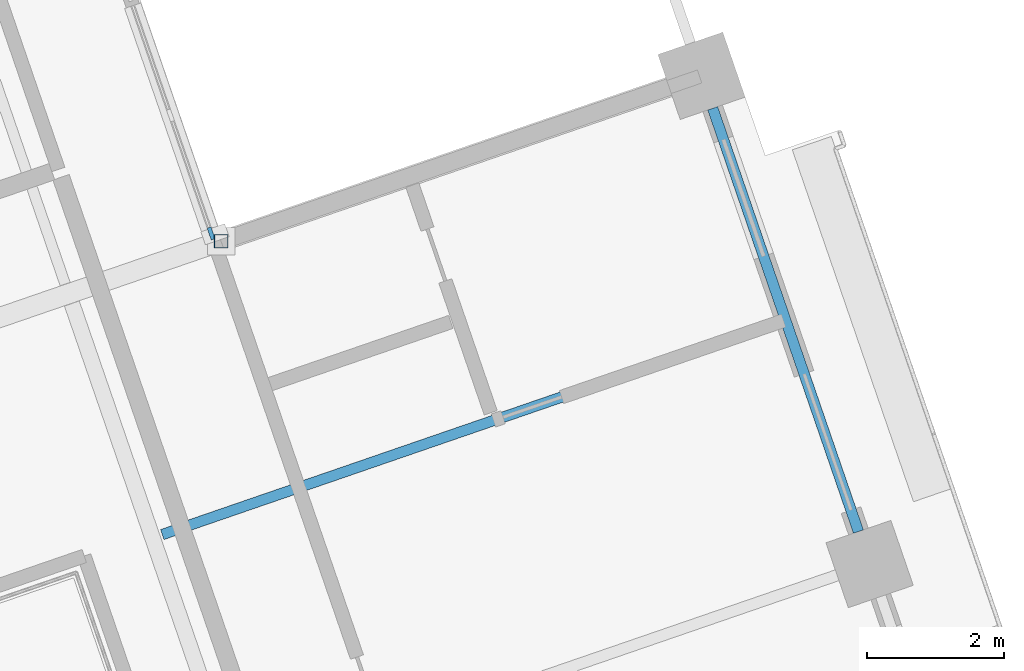
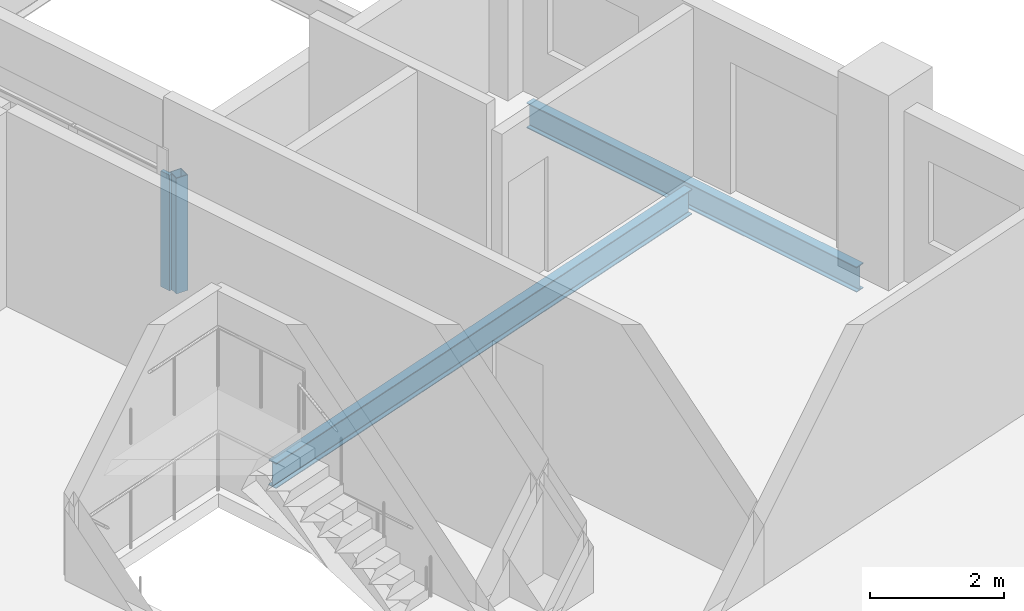
# One storey, part 2 of 19: 2 beams, 2 members, 1 element without a shape of its own.
"""IFC4 building model written with IfcOpenShell, lengths in metres."""

from ifc_helpers import new_model, si_unit, direction, frame, origin, origin_2d, place, context, subcontext, project, spatial, rectangle, hollow_rectangle, i_section, extrude, material, material_profile, profile_set, type_object, element, aggregate, save


model = new_model("IFC4")

# Units and contexts
model_context = context("Model", 3, precision=1e-05, world=origin(), true_north=direction((0.0, 1.0)))
body_context = subcontext(model_context, "Body", "Model", "MODEL_VIEW")
ifc_project = project(units=[si_unit("LENGTHUNIT", "METRE"), si_unit("AREAUNIT", "SQUARE_METRE"), si_unit("VOLUMEUNIT", "CUBIC_METRE"), si_unit("PLANEANGLEUNIT", "RADIAN"), si_unit("MASSUNIT", "GRAM", prefix="KILO")], contexts=[model_context])

# Site, building, storey
site_placement = place(None, origin())
site = spatial("IfcSite", under=ifc_project, at=site_placement, CompositionType="ELEMENT")
building_placement = place(site_placement, origin())
building = spatial("IfcBuilding", under=site, at=building_placement, Name="Cantera Rosa Tower", CompositionType="ELEMENT")
storey_placement = place(building_placement, frame((0.0, 0.0, 130.699951171875)))
storey = spatial("IfcBuildingStorey", under=building, at=storey_placement, Name="L27", CompositionType="ELEMENT", Elevation=130.699951171875)

# Curtain wall, member
ifc_material_1 = material(Name="Aluminium frame with clear glass", Category="aluminium")
curtain_wall_type = type_object("IfcCurtainWallType", Name="CW1 TERRACE POCKET GLAZING", PredefinedType="NOTDEFINED", material=ifc_material_1)
curtain_wall_placement = place(storey_placement, origin())
curtain_wall = element("IfcCurtainWall", 1, at=curtain_wall_placement, inside=storey, type_object=curtain_wall_type, Name="CW1 CW1", PredefinedType="NOTDEFINED")
ifc_material_2 = material(Name="Anodised bronze aluminium", Category="aluminium")
ifc_material_profile_1 = material_profile(ifc_material_2, rectangle(XDim=0.06005859375, YDim=0.179931640625, at=origin_2d()), Name="CW-MULLION 60x180 POCKET")
ifc_profile_set_1 = profile_set([ifc_material_profile_1], Name="Anodised bronze aluminium")
member_type_1 = type_object("IfcMemberType", Name="CW-MULLION 60x180 POCKET", PredefinedType="MULLION", material=ifc_profile_set_1)
member_1_placement = place(storey_placement, frame((18.85498046875, 2.679443359375, 0.0), z_axis=(0.0, 0.0, 1.0), x_axis=(-0.945518575605, -0.325568154441, 0.0)))
member_1 = element("IfcMember", 2, at=member_1_placement, type_object=member_type_1, Name="CW1 mullion 1", PredefinedType="MULLION", context=body_context, shape_type="SweptSolid", body=[
    extrude(rectangle(XDim=0.06005859375, YDim=0.179931640625, at=origin_2d()), origin(), (0.0, 0.0, 1.0), 2.10400390625),
])
aggregate(curtain_wall, [member_1])

# Member
ifc_material_3 = material(Name="Steel ASTM A992 (Fy 345 MPa)", Category="steel")
ifc_material_profile_2 = material_profile(ifc_material_3, hollow_rectangle(XDim=0.199951171875, YDim=0.199951171875, WallThickness=0.010009765625, at=origin_2d()), Name="LINTEL POST RHS 200x200x10")
ifc_profile_set_2 = profile_set([ifc_material_profile_2], Name="Steel ASTM A992 (Fy 345 MPa)")
member_type_2 = type_object("IfcMemberType", Name="LINTEL POST RHS 200x200x10", PredefinedType="USERDEFINED", material=ifc_profile_set_2)
member_2_placement = place(storey_placement, frame((19.0, 2.5654296875, 0.0), z_axis=(0.0, 0.0, 1.0), x_axis=(1.0, 0.0, 0.0)))
element("IfcMember", 3, at=member_2_placement, inside=storey, type_object=member_type_2, Name="LINTEL POST L27-1", ObjectType="LINTEL POST", PredefinedType="USERDEFINED", context=body_context, shape_type="SweptSolid", body=[
    extrude(hollow_rectangle(XDim=0.199951171875, YDim=0.199951171875, WallThickness=0.010009765625, at=origin_2d()), origin(), (0.0, 0.0, 1.0), 2.10595703125),
])

# Beams
ifc_material_4 = material(Name="Steel ASTM A992 (Fy 345 MPa)", Category="steel")
ifc_material_profile_3 = material_profile(ifc_material_4, i_section(OverallWidth=0.154052734375, OverallDepth=0.4599609375, WebThickness=0.009033203125, FlangeThickness=0.015380859375, FilletRadius=0.01025390625, at=origin_2d()), Name="W460X68")
ifc_profile_set_3 = profile_set([ifc_material_profile_3], Name="Steel ASTM A992 (Fy 345 MPa)")
beam_type_1 = type_object("IfcBeamType", Name="STEEL JOIST W460X68", PredefinedType="JOIST", material=ifc_profile_set_3)
beam_1_placement = place(storey_placement, frame((27.0791015625, 1.370849609375, -0.47998046875), z_axis=(-0.945518943957, -0.325567084667, 0.0), x_axis=(0.325567084667, -0.945518943957, 0.0)))
element("IfcBeam", 4, at=beam_1_placement, inside=storey, type_object=beam_type_1, Name="B-Z2-02 L27", PredefinedType="JOIST", context=body_context, shape_type="SweptSolid", body=[
    extrude(i_section(OverallWidth=0.154052734375, OverallDepth=0.4599609375, WebThickness=0.009033203125, FlangeThickness=0.015380859375, FilletRadius=0.01025390625, at=origin_2d()), origin(), (0.0, 0.0, 1.0), 9.4501953125),
])
ifc_material_5 = material(Name="Steel ASTM A992 (Fy 345 MPa)", Category="steel")
ifc_material_profile_4 = material_profile(ifc_material_5, i_section(OverallWidth=0.154052734375, OverallDepth=0.4599609375, WebThickness=0.009033203125, FlangeThickness=0.015380859375, FilletRadius=0.01025390625, at=origin_2d()), Name="W460X68")
ifc_profile_set_4 = profile_set([ifc_material_profile_4], Name="Steel ASTM A992 (Fy 345 MPa)")
beam_type_2 = type_object("IfcBeamType", Name="STEEL SPANDREL BEAM W460X68", PredefinedType="SPANDREL", material=ifc_profile_set_4)
beam_2_placement = place(storey_placement, frame((28.2822265625, -1.662841796875, -0.47998046875), z_axis=(-0.325580990241, 0.945514155787, 0.0), x_axis=(-0.945514155787, -0.325580990241, 0.0)))
element("IfcBeam", 5, at=beam_2_placement, inside=storey, type_object=beam_type_2, Name="EB-Z2-02 L27", PredefinedType="SPANDREL", context=body_context, shape_type="SweptSolid", body=[
    extrude(i_section(OverallWidth=0.154052734375, OverallDepth=0.4599609375, WebThickness=0.009033203125, FlangeThickness=0.015380859375, FilletRadius=0.01025390625, at=origin_2d()), origin(), (0.0, 0.0, 1.0), 6.52001953125),
])

save(model, "model.ifc")
